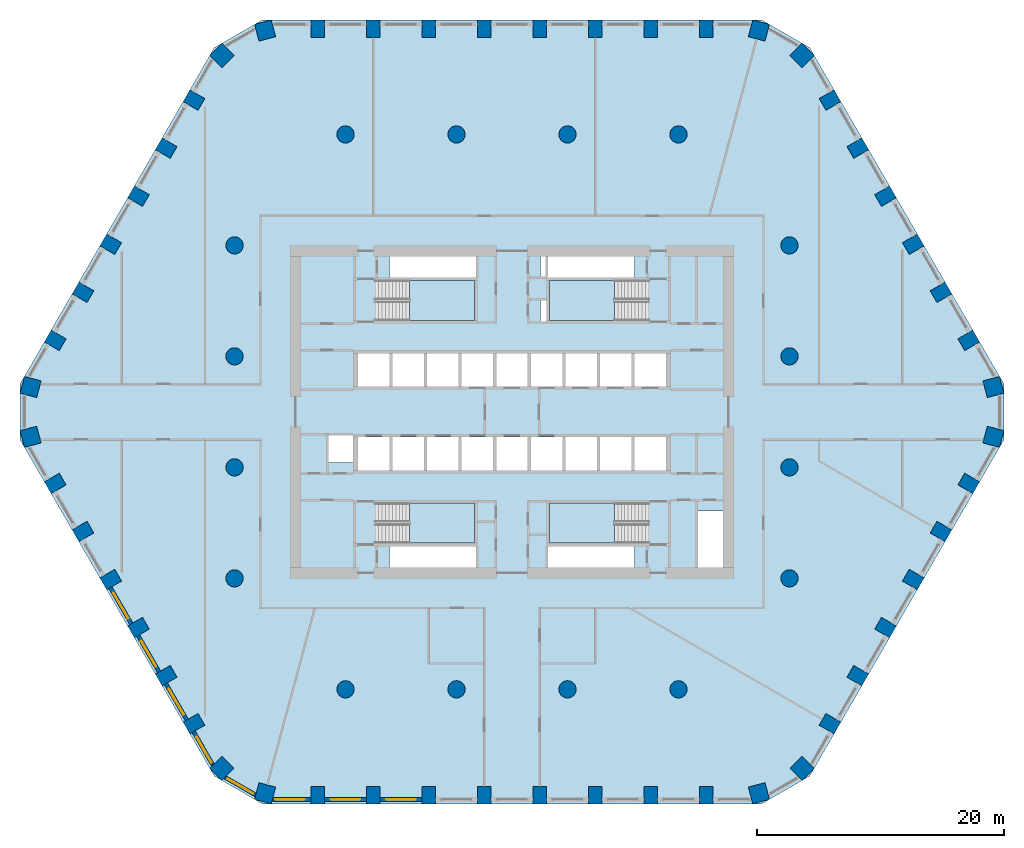
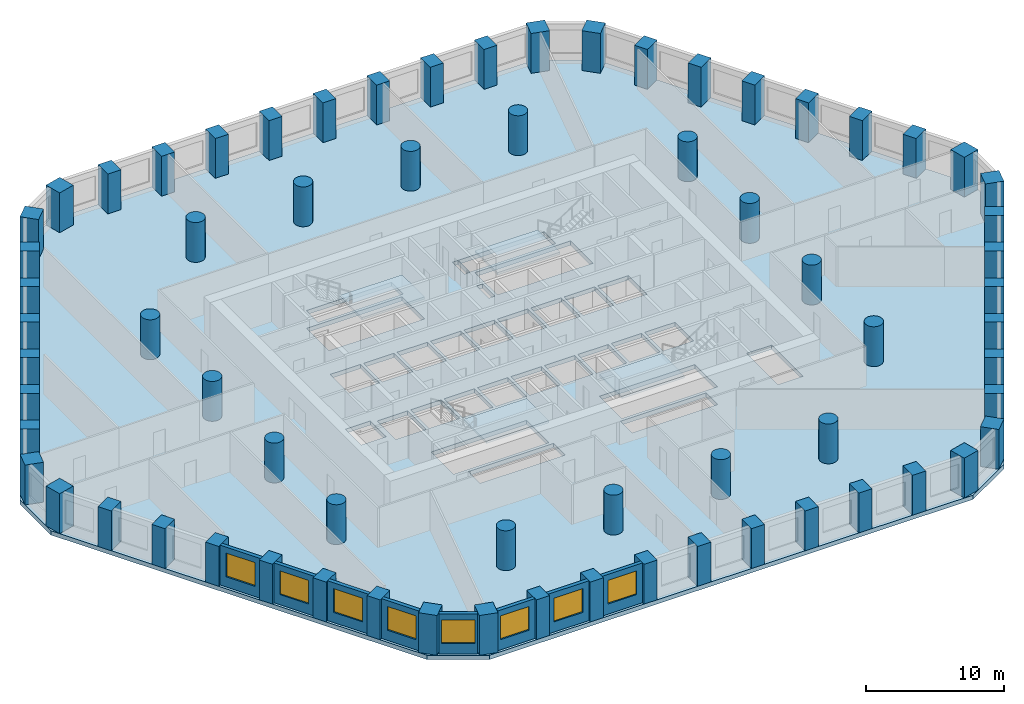
# One storey, part 1 of 10: 68 columns, 8 walls, 8 windows, 5 slabs, 8 openings, 4 elements without a shape of their own.
"""IFC4 building model written with IfcOpenShell, lengths in metres."""

from ifc_helpers import new_model, si_unit, direction, frame, frame_2d, origin, origin_2d, place, context, subcontext, project, spatial, polyline, rectangle, circle, outline, extrude, material, layer, layer_set, material_profile, profile_set, type_object, element, fill, aggregate, save


model = new_model("IFC4")

# Units and contexts
model_context = context("Model", 3, precision=1e-05, world=origin(), true_north=direction((0.0, 1.0)))
body_context = subcontext(model_context, "Body", "Model", "MODEL_VIEW")
ifc_project = project(units=[si_unit("LENGTHUNIT", "METRE"), si_unit("AREAUNIT", "SQUARE_METRE"), si_unit("VOLUMEUNIT", "CUBIC_METRE"), si_unit("PLANEANGLEUNIT", "RADIAN"), si_unit("MASSUNIT", "GRAM", prefix="KILO")], contexts=[model_context])

# Site, building, storey
site_placement = place(None, origin())
site = spatial("IfcSite", under=ifc_project, at=site_placement, CompositionType="ELEMENT")
building_placement = place(site_placement, origin())
building = spatial("IfcBuilding", under=site, at=building_placement, Name="Dhurran Vertical Campus", CompositionType="ELEMENT")
storey_placement = place(building_placement, frame((0.0, 0.0, 69.0)))
storey = spatial("IfcBuildingStorey", under=building, at=storey_placement, Name="L16", CompositionType="ELEMENT", Elevation=69.0)

# Columns
ifc_material_1 = material(Name="Concrete C70/85", Category="concrete")
ifc_material_profile_1 = material_profile(ifc_material_1, rectangle(XDim=1.10009765625, YDim=1.39990234375, at=origin_2d()), Name="RC 1100x1400")
ifc_profile_set_1 = profile_set([ifc_material_profile_1], Name="Concrete C70/85")
column_type_1 = type_object("IfcColumnType", Name="FR COL RC 1100x1400 C70/85", PredefinedType="COLUMN", material=ifc_profile_set_1)
for number, where, z_axis, x_axis, name in (
    (1, (-15.75, -31.079833984375, 0.0), (0.0, 0.0, 1.0), (1.0, 0.0, 0.0), "Perimeter pier PP1.01"),
    (2, (-11.25, -31.079833984375, 0.0), (0.0, 0.0, 1.0), (1.0, 0.0, 0.0), "Perimeter pier PP1.02"),
    (3, (-6.75, -31.079833984375, 0.0), (0.0, 0.0, 1.0), (1.0, 0.0, 0.0), "Perimeter pier PP1.03"),
    (4, (-2.25, -31.079833984375, 0.0), (0.0, 0.0, 1.0), (1.0, 0.0, 0.0), "Perimeter pier PP1.04"),
    (5, (2.25, -31.079833984375, 0.0), (0.0, 0.0, 1.0), (1.0, 0.0, 0.0), "Perimeter pier PP1.05"),
    (6, (6.75, -31.079833984375, 0.0), (0.0, 0.0, 1.0), (1.0, 0.0, 0.0), "Perimeter pier PP1.06"),
    (7, (11.25, -31.079833984375, 0.0), (0.0, 0.0, 1.0), (1.0, 0.0, 0.0), "Perimeter pier PP1.07"),
    (8, (15.75, -31.079833984375, 0.0), (0.0, 0.0, 1.0), (1.0, 0.0, 0.0), "Perimeter pier PP1.08"),
    (9, (25.791015625, -25.28271484375, 0.0), (0.0, 0.0, 1.0), (0.5, 0.866025403784, 0.0), "Perimeter pier PP1.11"),
    (10, (28.041015625, -21.385498046875, 0.0), (0.0, 0.0, 1.0), (0.5, 0.866025403784, 0.0), "Perimeter pier PP1.12"),
    (11, (30.291015625, -17.488525390625, 0.0), (0.0, 0.0, 1.0), (0.5, 0.866025403784, 0.0), "Perimeter pier PP1.13"),
    (12, (32.541015625, -13.59130859375, 0.0), (0.0, 0.0, 1.0), (0.5, 0.866025403784, 0.0), "Perimeter pier PP1.14"),
    (13, (34.791015625, -9.694091796875, 0.0), (0.0, 0.0, 1.0), (0.5, 0.866025403784, 0.0), "Perimeter pier PP1.15"),
    (14, (37.041015625, -5.797119140625, 0.0), (0.0, 0.0, 1.0), (0.5, 0.866025403784, 0.0), "Perimeter pier PP1.16"),
    (15, (37.041015625, 5.797119140625, 0.0), (0.0, 0.0, 1.0), (-0.5, 0.866025403784, 0.0), "Perimeter pier PP1.19"),
    (16, (34.791015625, 9.694091796875, 0.0), (0.0, 0.0, 1.0), (-0.5, 0.866025403784, 0.0), "Perimeter pier PP1.20"),
    (17, (32.541015625, 13.59130859375, 0.0), (0.0, 0.0, 1.0), (-0.5, 0.866025403784, 0.0), "Perimeter pier PP1.21"),
    (18, (30.291015625, 17.488525390625, 0.0), (0.0, 0.0, 1.0), (-0.5, 0.866025403784, 0.0), "Perimeter pier PP1.22"),
    (19, (28.041015625, 21.385498046875, 0.0), (0.0, 0.0, 1.0), (-0.5, 0.866025403784, 0.0), "Perimeter pier PP1.23"),
    (20, (25.791015625, 25.28271484375, 0.0), (0.0, 0.0, 1.0), (-0.5, 0.866025403784, 0.0), "Perimeter pier PP1.24"),
    (21, (15.75, 31.079833984375, 0.0), (0.0, 0.0, 1.0), (-1.0, 0.0, 0.0), "Perimeter pier PP1.27"),
    (22, (11.25, 31.079833984375, 0.0), (0.0, 0.0, 1.0), (-1.0, 0.0, 0.0), "Perimeter pier PP1.28"),
    (23, (6.75, 31.079833984375, 0.0), (0.0, 0.0, 1.0), (-1.0, 0.0, 0.0), "Perimeter pier PP1.29"),
    (24, (2.25, 31.079833984375, 0.0), (0.0, 0.0, 1.0), (-1.0, 0.0, 0.0), "Perimeter pier PP1.30"),
    (25, (-2.25, 31.079833984375, 0.0), (0.0, 0.0, 1.0), (-1.0, 0.0, 0.0), "Perimeter pier PP1.31"),
    (26, (-6.75, 31.079833984375, 0.0), (0.0, 0.0, 1.0), (-1.0, 0.0, 0.0), "Perimeter pier PP1.32"),
    (27, (-11.25, 31.079833984375, 0.0), (0.0, 0.0, 1.0), (-1.0, 0.0, 0.0), "Perimeter pier PP1.33"),
    (28, (-15.75, 31.079833984375, 0.0), (0.0, 0.0, 1.0), (-1.0, 0.0, 0.0), "Perimeter pier PP1.34"),
    (29, (-25.791015625, 25.28271484375, 0.0), (0.0, 0.0, 1.0), (-0.5, -0.866025403784, 0.0), "Perimeter pier PP1.37"),
    (30, (-28.041015625, 21.385498046875, 0.0), (0.0, 0.0, 1.0), (-0.5, -0.866025403784, 0.0), "Perimeter pier PP1.38"),
    (31, (-30.291015625, 17.488525390625, 0.0), (0.0, 0.0, 1.0), (-0.5, -0.866025403784, 0.0), "Perimeter pier PP1.39"),
    (32, (-32.541015625, 13.59130859375, 0.0), (0.0, 0.0, 1.0), (-0.5, -0.866025403784, 0.0), "Perimeter pier PP1.40"),
    (33, (-34.791015625, 9.694091796875, 0.0), (0.0, 0.0, 1.0), (-0.5, -0.866025403784, 0.0), "Perimeter pier PP1.41"),
    (34, (-37.041015625, 5.797119140625, 0.0), (0.0, 0.0, 1.0), (-0.5, -0.866025403784, 0.0), "Perimeter pier PP1.42"),
    (35, (-37.041015625, -5.797119140625, 0.0), (0.0, 0.0, 1.0), (0.5, -0.866025403784, 0.0), "Perimeter pier PP1.45"),
    (36, (-34.791015625, -9.694091796875, 0.0), (0.0, 0.0, 1.0), (0.5, -0.866025403784, 0.0), "Perimeter pier PP1.46"),
    (37, (-32.541015625, -13.59130859375, 0.0), (0.0, 0.0, 1.0), (0.5, -0.866025403784, 0.0), "Perimeter pier PP1.47"),
    (38, (-30.291015625, -17.488525390625, 0.0), (0.0, 0.0, 1.0), (0.5, -0.866025403784, 0.0), "Perimeter pier PP1.48"),
    (39, (-28.041015625, -21.385498046875, 0.0), (0.0, 0.0, 1.0), (0.5, -0.866025403784, 0.0), "Perimeter pier PP1.49"),
    (40, (-25.791015625, -25.28271484375, 0.0), (0.0, 0.0, 1.0), (0.5, -0.866025403784, 0.0), "Perimeter pier PP1.50"),
):
    element("IfcColumn", number, at=place(storey_placement, frame(where, z_axis=z_axis, x_axis=x_axis)), inside=storey, type_object=column_type_1, Name=name, PredefinedType="COLUMN", context=body_context, shape_type="SweptSolid", body=[
        extrude(rectangle(XDim=1.10009765625, YDim=1.39990234375, at=origin_2d()), origin(), (0.0, 0.0, 1.0), 3.52490234375),
    ])
ifc_material_2 = material(Name="Concrete C70/85", Category="concrete")
ifc_material_profile_2 = material_profile(ifc_material_2, rectangle(XDim=1.39990234375, YDim=1.39990234375, at=origin_2d()), Name="RC 1400x1400")
ifc_profile_set_2 = profile_set([ifc_material_profile_2], Name="Concrete C70/85")
column_type_2 = type_object("IfcColumnType", Name="FR COL RC 1400x1400 C70/85", PredefinedType="COLUMN", material=ifc_profile_set_2)
for number, where, z_axis, x_axis, name in (
    (41, (-20.020263671875, -30.922607421875, 0.0), (0.0, 0.0, 1.0), (0.965925826289, -0.258819045103, 0.0), "Perimeter pier PP1.00"),
    (42, (20.020263671875, -30.922607421875, 0.0), (0.0, 0.0, 1.0), (0.965925826289, 0.258819045103, 0.0), "Perimeter pier PP1.09"),
    (43, (23.51953125, -28.902099609375, 0.0), (0.0, 0.0, 1.0), (0.707106781187, 0.707106781187, 0.0), "Perimeter pier PP1.10"),
    (44, (39.039794921875, -2.020263671875, 0.0), (0.0, 0.0, 1.0), (0.258819045103, 0.965925826289, 0.0), "Perimeter pier PP1.17"),
    (45, (39.039794921875, 2.020263671875, 0.0), (0.0, 0.0, 1.0), (-0.258819045103, 0.965925826289, 0.0), "Perimeter pier PP1.18"),
    (46, (23.51953125, 28.902099609375, 0.0), (0.0, 0.0, 1.0), (-0.707106781187, 0.707106781187, 0.0), "Perimeter pier PP1.25"),
    (47, (20.020263671875, 30.922607421875, 0.0), (0.0, 0.0, 1.0), (-0.965925826289, 0.258819045103, 0.0), "Perimeter pier PP1.26"),
    (48, (-20.020263671875, 30.922607421875, 0.0), (0.0, 0.0, 1.0), (-0.965925826289, -0.258819045103, 0.0), "Perimeter pier PP1.35"),
    (49, (-23.51953125, 28.902099609375, 0.0), (0.0, 0.0, 1.0), (-0.707106781187, -0.707106781187, 0.0), "Perimeter pier PP1.36"),
    (50, (-39.039794921875, 2.020263671875, 0.0), (0.0, 0.0, 1.0), (-0.258819045103, -0.965925826289, 0.0), "Perimeter pier PP1.43"),
    (51, (-39.039794921875, -2.020263671875, 0.0), (0.0, 0.0, 1.0), (0.258819045103, -0.965925826289, 0.0), "Perimeter pier PP1.44"),
    (52, (-23.51953125, -28.902099609375, 0.0), (0.0, 0.0, 1.0), (0.707106781187, -0.707106781187, 0.0), "Perimeter pier PP1.51"),
):
    element("IfcColumn", number, at=place(storey_placement, frame(where, z_axis=z_axis, x_axis=x_axis)), inside=storey, type_object=column_type_2, Name=name, PredefinedType="COLUMN", context=body_context, shape_type="SweptSolid", body=[
        extrude(rectangle(XDim=1.39990234375, YDim=1.39990234375, at=origin_2d()), origin(), (0.0, 0.0, 1.0), 3.52490234375),
    ])
ifc_material_3 = material(Name="Concrete C70/85", Category="concrete")
ifc_material_profile_3 = material_profile(ifc_material_3, circle(Radius=0.699951171875, at=origin_2d()), Name="RCC D1400")
ifc_profile_set_3 = profile_set([ifc_material_profile_3], Name="Concrete C70/85")
column_type_3 = type_object("IfcColumnType", Name="FR COL RCC D1400 C70/85", PredefinedType="COLUMN", material=ifc_profile_set_3)
for number, where, z_axis, x_axis, name in (
    (53, (-22.5, -13.5, 0.0), (0.0, 0.0, 1.0), (1.0, 0.0, 0.0), "Inner column IC1-D4"),
    (54, (-22.5, -4.5, 0.0), (0.0, 0.0, 1.0), (1.0, 0.0, 0.0), "Inner column IC1-D5"),
    (55, (-22.5, 4.5, 0.0), (0.0, 0.0, 1.0), (1.0, 0.0, 0.0), "Inner column IC1-D6"),
    (56, (-22.5, 13.5, 0.0), (0.0, 0.0, 1.0), (1.0, 0.0, 0.0), "Inner column IC1-D7"),
    (57, (-13.5, -22.5, 0.0), (0.0, 0.0, 1.0), (1.0, 0.0, 0.0), "Inner column IC1-E3"),
    (58, (-13.5, 22.5, 0.0), (0.0, 0.0, 1.0), (1.0, 0.0, 0.0), "Inner column IC1-E8"),
    (59, (-4.5, -22.5, 0.0), (0.0, 0.0, 1.0), (1.0, 0.0, 0.0), "Inner column IC1-F3"),
    (60, (-4.5, 22.5, 0.0), (0.0, 0.0, 1.0), (1.0, 0.0, 0.0), "Inner column IC1-F8"),
    (61, (4.5, -22.5, 0.0), (0.0, 0.0, 1.0), (1.0, 0.0, 0.0), "Inner column IC1-G3"),
    (62, (4.5, 22.5, 0.0), (0.0, 0.0, 1.0), (1.0, 0.0, 0.0), "Inner column IC1-G8"),
    (63, (13.5, -22.5, 0.0), (0.0, 0.0, 1.0), (1.0, 0.0, 0.0), "Inner column IC1-H3"),
    (64, (13.5, 22.5, 0.0), (0.0, 0.0, 1.0), (1.0, 0.0, 0.0), "Inner column IC1-H8"),
    (65, (22.5, -13.5, 0.0), (0.0, 0.0, 1.0), (1.0, 0.0, 0.0), "Inner column IC1-J4"),
    (66, (22.5, -4.5, 0.0), (0.0, 0.0, 1.0), (1.0, 0.0, 0.0), "Inner column IC1-J5"),
    (67, (22.5, 4.5, 0.0), (0.0, 0.0, 1.0), (1.0, 0.0, 0.0), "Inner column IC1-J6"),
    (68, (22.5, 13.5, 0.0), (0.0, 0.0, 1.0), (1.0, 0.0, 0.0), "Inner column IC1-J7"),
):
    element("IfcColumn", number, at=place(storey_placement, frame(where, z_axis=z_axis, x_axis=x_axis)), inside=storey, type_object=column_type_3, Name=name, PredefinedType="COLUMN", context=body_context, shape_type="SweptSolid", body=[
        extrude(circle(Radius=0.699951171875, at=origin_2d()), origin(), (0.0, 0.0, 1.0), 3.52490234375),
    ])

# Slab
ifc_material_4 = material(Name="Concrete C40/50", Category="concrete")
ifc_layer_1 = layer(ifc_material_4, 0.375)
ifc_layer_set_1 = layer_set([ifc_layer_1], Name="Concrete C40/50")
slab_type_1 = type_object("IfcSlabType", Name="FR POST-TENSIONED FLAT SLAB 375", PredefinedType="FLOOR", material=ifc_layer_set_1)
slab_1_placement = place(storey_placement, frame((0.0, 0.0, -0.375)))
element("IfcSlab", 69, at=slab_1_placement, inside=storey, type_object=slab_type_1, Name="Floor slab L16", PredefinedType="FLOOR", context=body_context, shape_type="SweptSolid", body=[
    extrude(outline(polyline([(-20.25, -31.77978515625), (20.25, -31.77978515625), (24.147216796875, -29.52978515625), (39.897216796875, -2.25), (39.897216796875, 2.25), (24.147216796875, 29.52978515625), (20.25, 31.77978515625), (-20.25, 31.77978515625), (-24.147216796875, 29.52978515625), (-39.897216796875, 2.25), (-39.897216796875, -2.25), (-24.147216796875, -29.52978515625), (-20.25, -31.77978515625)]), holes=[polyline([(-12.47509765625, 2.050048828125), (-9.925048828125, 2.050048828125), (-9.925048828125, 4.75), (-12.47509765625, 4.75), (-12.47509765625, 2.050048828125)]), polyline([(-9.675048828125, 2.050048828125), (-7.125, 2.050048828125), (-7.125, 4.75), (-9.675048828125, 4.75), (-9.675048828125, 2.050048828125)]), polyline([(-6.875, 2.050048828125), (-4.324951171875, 2.050048828125), (-4.324951171875, 4.75), (-6.875, 4.75), (-6.875, 2.050048828125)]), polyline([(-1.27490234375, 2.050048828125), (1.27490234375, 2.050048828125), (1.27490234375, 4.75), (-1.27490234375, 4.75), (-1.27490234375, 2.050048828125)]), polyline([(9.925048828125, 2.050048828125), (12.47509765625, 2.050048828125), (12.47509765625, 4.75), (9.925048828125, 4.75), (9.925048828125, 2.050048828125)]), polyline([(-1.27490234375, -4.75), (1.27490234375, -4.75), (1.27490234375, -2.050048828125), (-1.27490234375, -2.050048828125), (-1.27490234375, -4.75)]), polyline([(1.52490234375, -4.75), (4.074951171875, -4.75), (4.074951171875, -2.050048828125), (1.52490234375, -2.050048828125), (1.52490234375, -4.75)]), polyline([(4.324951171875, -4.75), (6.875, -4.75), (6.875, -2.050048828125), (4.324951171875, -2.050048828125), (4.324951171875, -4.75)]), polyline([(7.125, -4.75), (9.675048828125, -4.75), (9.675048828125, -2.050048828125), (7.125, -2.050048828125), (7.125, -4.75)]), polyline([(9.925048828125, -4.75), (12.47509765625, -4.75), (12.47509765625, -2.050048828125), (9.925048828125, -2.050048828125), (9.925048828125, -4.75)]), polyline([(-4.074951171875, 2.050048828125), (-1.52490234375, 2.050048828125), (-1.52490234375, 4.75), (-4.074951171875, 4.75), (-4.074951171875, 2.050048828125)]), polyline([(1.52490234375, 2.050048828125), (4.074951171875, 2.050048828125), (4.074951171875, 4.75), (1.52490234375, 4.75), (1.52490234375, 2.050048828125)]), polyline([(4.324951171875, 2.050048828125), (6.875, 2.050048828125), (6.875, 4.75), (4.324951171875, 4.75), (4.324951171875, 2.050048828125)]), polyline([(7.125, 2.050048828125), (9.675048828125, 2.050048828125), (9.675048828125, 4.75), (7.125, 4.75), (7.125, 2.050048828125)]), polyline([(-12.47509765625, -4.75), (-9.925048828125, -4.75), (-9.925048828125, -2.050048828125), (-12.47509765625, -2.050048828125), (-12.47509765625, -4.75)]), polyline([(-9.675048828125, -4.75), (-7.125, -4.75), (-7.125, -2.050048828125), (-9.675048828125, -2.050048828125), (-9.675048828125, -4.75)]), polyline([(-6.875, -4.75), (-4.324951171875, -4.75), (-4.324951171875, -2.050048828125), (-6.875, -2.050048828125), (-6.875, -4.75)]), polyline([(-4.074951171875, -4.75), (-1.52490234375, -4.75), (-1.52490234375, -2.050048828125), (-4.074951171875, -2.050048828125), (-4.074951171875, -4.75)]), polyline([(-11.050048828125, 7.39990234375), (-3.050048828125, 7.39990234375), (-3.050048828125, 10.64990234375), (-11.050048828125, 10.64990234375), (-11.050048828125, 7.39990234375)]), polyline([(3.050048828125, 7.39990234375), (11.050048828125, 7.39990234375), (11.050048828125, 10.64990234375), (3.050048828125, 10.64990234375), (3.050048828125, 7.39990234375)]), polyline([(-11.050048828125, -10.64990234375), (-3.050048828125, -10.64990234375), (-3.050048828125, -7.39990234375), (-11.050048828125, -7.39990234375), (-11.050048828125, -10.64990234375)]), polyline([(3.050048828125, -10.64990234375), (11.050048828125, -10.64990234375), (11.050048828125, -7.39990234375), (3.050048828125, -7.39990234375), (3.050048828125, -10.64990234375)]), polyline([(-9.949951171875, 10.89990234375), (-9.949951171875, 12.60009765625), (-2.800048828125, 12.60009765625), (-2.800048828125, 10.89990234375), (-9.949951171875, 10.89990234375)]), polyline([(9.949951171875, 12.60009765625), (9.949951171875, 10.89990234375), (2.800048828125, 10.89990234375), (2.800048828125, 12.60009765625), (9.949951171875, 12.60009765625)]), polyline([(-9.949951171875, -12.60009765625), (-9.949951171875, -10.89990234375), (-2.800048828125, -10.89990234375), (-2.800048828125, -12.60009765625), (-9.949951171875, -12.60009765625)]), polyline([(9.949951171875, -10.89990234375), (9.949951171875, -12.60009765625), (2.800048828125, -12.60009765625), (2.800048828125, -10.89990234375), (9.949951171875, -10.89990234375)]), polyline([(-12.89990234375, -4.10009765625), (-15.0, -4.10009765625), (-15.0, -1.800048828125), (-12.89990234375, -1.800048828125), (-12.89990234375, -4.10009765625)]), polyline([(2.300048828125, 10.867431640625), (2.300048828125, 12.60009765625), (2.75, 12.60009765625), (2.75, 10.867431640625), (2.300048828125, 10.867431640625)]), polyline([(15.0, -8.050048828125), (17.10009765625, -8.050048828125), (17.10009765625, -12.60009765625), (15.0, -12.60009765625), (15.0, -8.050048828125)]), polyline([(2.300048828125, 7.35009765625), (2.300048828125, 9.135009765625), (2.800048828125, 9.135009765625), (2.800048828125, 7.35009765625), (2.300048828125, 7.35009765625)])]), origin(), (0.0, 0.0, 1.0), 0.375),
])

# Stair, slab
ifc_material_5 = material(Name="Concrete C40/50", Category="concrete")
stair_type = type_object("IfcStairType", Name="co-ST-CORE", PredefinedType="HALF_TURN_STAIR", material=ifc_material_5)
stair_1_placement = place(storey_placement, origin())
stair_1 = element("IfcStair", 70, at=stair_1_placement, inside=storey, type_object=stair_type, Name="L16 Protected exit stair ST1", PredefinedType="HALF_TURN_STAIR")
ifc_material_6 = material(Name="Concrete C40/50", Category="concrete")
ifc_layer_2 = layer(ifc_material_6, 0.199951171875)
ifc_layer_set_2 = layer_set([ifc_layer_2], Name="Concrete C40/50")
slab_type_2 = type_object("IfcSlabType", Name="co-SL-LANDING", PredefinedType="LANDING", material=ifc_layer_set_2)
slab_2_placement = place(storey_placement, frame((0.0, 0.0, 1.75)))
slab_2 = element("IfcSlab", 71, at=slab_2_placement, type_object=slab_type_2, Name="ST1 landing 1", PredefinedType="LANDING", context=body_context, shape_type="SweptSolid", body=[
    extrude(outline(polyline([(-8.300048828125, 7.39990234375), (-3.050048828125, 7.39990234375), (-3.050048828125, 10.64990234375), (-8.300048828125, 10.64990234375), (-8.300048828125, 7.39990234375)])), origin(), (0.0, 0.0, 1.0), 0.199951171875),
])
aggregate(stair_1, [slab_2])

stair_2_placement = place(storey_placement, origin())
stair_2 = element("IfcStair", 72, at=stair_2_placement, inside=storey, type_object=stair_type, Name="L16 Protected exit stair ST2", PredefinedType="HALF_TURN_STAIR")
slab_3_placement = place(storey_placement, frame((0.0, 0.0, 1.75)))
slab_3 = element("IfcSlab", 73, at=slab_3_placement, type_object=slab_type_2, Name="ST2 landing 1", PredefinedType="LANDING", context=body_context, shape_type="SweptSolid", body=[
    extrude(outline(polyline([(8.300048828125, 10.64990234375), (3.050048828125, 10.64990234375), (3.050048828125, 7.39990234375), (8.300048828125, 7.39990234375), (8.300048828125, 10.64990234375)])), origin(), (0.0, 0.0, 1.0), 0.199951171875),
])
aggregate(stair_2, [slab_3])

stair_3_placement = place(storey_placement, origin())
stair_3 = element("IfcStair", 74, at=stair_3_placement, inside=storey, type_object=stair_type, Name="L16 Protected exit stair ST3", PredefinedType="HALF_TURN_STAIR")
slab_4_placement = place(storey_placement, frame((0.0, 0.0, 1.75)))
slab_4 = element("IfcSlab", 75, at=slab_4_placement, type_object=slab_type_2, Name="ST3 landing 1", PredefinedType="LANDING", context=body_context, shape_type="SweptSolid", body=[
    extrude(outline(polyline([(-8.300048828125, -10.64990234375), (-3.050048828125, -10.64990234375), (-3.050048828125, -7.39990234375), (-8.300048828125, -7.39990234375), (-8.300048828125, -10.64990234375)])), origin(), (0.0, 0.0, 1.0), 0.199951171875),
])
aggregate(stair_3, [slab_4])

stair_4_placement = place(storey_placement, origin())
stair_4 = element("IfcStair", 76, at=stair_4_placement, inside=storey, type_object=stair_type, Name="L16 Protected exit stair ST4", PredefinedType="HALF_TURN_STAIR")
slab_5_placement = place(storey_placement, frame((0.0, 0.0, 1.75)))
slab_5 = element("IfcSlab", 77, at=slab_5_placement, type_object=slab_type_2, Name="ST4 landing 1", PredefinedType="LANDING", context=body_context, shape_type="SweptSolid", body=[
    extrude(outline(polyline([(8.300048828125, -7.39990234375), (3.050048828125, -7.39990234375), (3.050048828125, -10.64990234375), (8.300048828125, -10.64990234375), (8.300048828125, -7.39990234375)])), origin(), (0.0, 0.0, 1.0), 0.199951171875),
])
aggregate(stair_4, [slab_5])

# Wall, opening, window
ifc_material_7 = material(Name="Precast concrete C50/60", Category="concrete")
ifc_layer_3 = layer(ifc_material_7, 0.300048828125)
ifc_layer_set_3 = layer_set([ifc_layer_3], Name="Precast concrete C50/60")
wall_type = type_object("IfcWallType", Name="Precast spandrel wall 300", PredefinedType="SOLIDWALL", material=ifc_layer_set_3)
wall_1_placement = place(storey_placement, frame((-19.39111328125, -31.4296875, 0.0), z_axis=(0.0, 0.0, 1.0), x_axis=(1.0, 0.0, 0.0)))
wall_1 = element("IfcWall", 78, at=wall_1_placement, inside=storey, type_object=wall_type, Name="EW1 L16.00", PredefinedType="SOLIDWALL", context=body_context, shape_type="SweptSolid", body=[
    extrude(rectangle(XDim=3.090576171875, YDim=0.300048828125, at=frame_2d((1.54541015625, 0.0))), origin(), (0.0, 0.0, 1.0), 3.52490234375),
])
opening_1_placement = place(wall_1_placement, frame((0.191162109375, 0.0, 0.89990234375)))
opening_1 = element("IfcOpeningElement", 79, at=opening_1_placement, cuts=wall_1, Name="Opening WT1", PredefinedType="OPENING", context=body_context, shape_type="SweptSolid", body=[
    extrude(rectangle(XDim=2.39990234375, YDim=2.10009765625, at=frame_2d((1.199951171875, 1.050048828125))), frame((0.0, 0.159912109375, 0.0), z_axis=(0.0, -1.0, 0.0), x_axis=(1.0, 0.0, 0.0)), (0.0, 0.0, 1.0), 0.320068359375),
])
ifc_material_8 = material(Name="Aluminium frame with solar-control glass", Category="aluminium")
window_type = type_object("IfcWindowType", Name="Punched window 2400 x 2100", PartitioningType="SINGLE_PANEL", PredefinedType="WINDOW", material=ifc_material_8)
window_1_placement = place(opening_1_placement, origin())
window_1 = element("IfcWindow", 80, at=window_1_placement, inside=storey, type_object=window_type, Name="WT1 L16.00", OverallHeight=2.10009765625, OverallWidth=2.39990234375, PartitioningType="SINGLE_PANEL", PredefinedType="WINDOW", context=body_context, shape_type="SweptSolid", body=[
    extrude(rectangle(XDim=2.39990234375, YDim=2.10009765625, at=frame_2d((1.199951171875, 1.050048828125))), frame((0.0, 0.030029296875, 0.0), z_axis=(0.0, -1.0, 0.0), x_axis=(1.0, 0.0, 0.0)), (0.0, 0.0, 1.0), 0.06005859375),
])
fill(opening_1, window_1)

wall_2_placement = place(storey_placement, frame((-15.199462890625, -31.4296875, 0.0), z_axis=(0.0, 0.0, 1.0), x_axis=(1.0, 0.0, 0.0)))
wall_2 = element("IfcWall", 81, at=wall_2_placement, inside=storey, type_object=wall_type, Name="EW1 L16.01", PredefinedType="SOLIDWALL", context=body_context, shape_type="SweptSolid", body=[
    extrude(rectangle(XDim=3.39892578125, YDim=0.300048828125, at=frame_2d((1.699462890625, 0.0))), origin(), (0.0, 0.0, 1.0), 3.52490234375),
])
opening_2_placement = place(wall_2_placement, frame((0.49951171875, 0.0, 0.89990234375)))
opening_2 = element("IfcOpeningElement", 82, at=opening_2_placement, cuts=wall_2, Name="Opening WT1", PredefinedType="OPENING", context=body_context, shape_type="SweptSolid", body=[
    extrude(rectangle(XDim=2.39990234375, YDim=2.10009765625, at=frame_2d((1.199951171875, 1.050048828125))), frame((0.0, 0.159912109375, 0.0), z_axis=(0.0, -1.0, 0.0), x_axis=(1.0, 0.0, 0.0)), (0.0, 0.0, 1.0), 0.320068359375),
])
window_2_placement = place(opening_2_placement, origin())
window_2 = element("IfcWindow", 83, at=window_2_placement, inside=storey, type_object=window_type, Name="WT1 L16.01", OverallHeight=2.10009765625, OverallWidth=2.39990234375, PartitioningType="SINGLE_PANEL", PredefinedType="WINDOW", context=body_context, shape_type="SweptSolid", body=[
    extrude(rectangle(XDim=2.39990234375, YDim=2.10009765625, at=frame_2d((1.199951171875, 1.050048828125))), frame((0.0, 0.030029296875, 0.0), z_axis=(0.0, -1.0, 0.0), x_axis=(1.0, 0.0, 0.0)), (0.0, 0.0, 1.0), 0.06005859375),
])
fill(opening_2, window_2)

wall_3_placement = place(storey_placement, frame((-10.699462890625, -31.4296875, 0.0), z_axis=(0.0, 0.0, 1.0), x_axis=(1.0, 0.0, 0.0)))
wall_3 = element("IfcWall", 84, at=wall_3_placement, inside=storey, type_object=wall_type, Name="EW1 L16.02", PredefinedType="SOLIDWALL", context=body_context, shape_type="SweptSolid", body=[
    extrude(rectangle(XDim=3.39892578125, YDim=0.300048828125, at=frame_2d((1.699462890625, 0.0))), origin(), (0.0, 0.0, 1.0), 3.52490234375),
])
opening_3_placement = place(wall_3_placement, frame((0.49951171875, 0.0, 0.89990234375)))
opening_3 = element("IfcOpeningElement", 85, at=opening_3_placement, cuts=wall_3, Name="Opening WT1", PredefinedType="OPENING", context=body_context, shape_type="SweptSolid", body=[
    extrude(rectangle(XDim=2.39990234375, YDim=2.10009765625, at=frame_2d((1.199951171875, 1.050048828125))), frame((0.0, 0.159912109375, 0.0), z_axis=(0.0, -1.0, 0.0), x_axis=(1.0, 0.0, 0.0)), (0.0, 0.0, 1.0), 0.320068359375),
])
window_3_placement = place(opening_3_placement, origin())
window_3 = element("IfcWindow", 86, at=window_3_placement, inside=storey, type_object=window_type, Name="WT1 L16.02", OverallHeight=2.10009765625, OverallWidth=2.39990234375, PartitioningType="SINGLE_PANEL", PredefinedType="WINDOW", context=body_context, shape_type="SweptSolid", body=[
    extrude(rectangle(XDim=2.39990234375, YDim=2.10009765625, at=frame_2d((1.199951171875, 1.050048828125))), frame((0.0, 0.030029296875, 0.0), z_axis=(0.0, -1.0, 0.0), x_axis=(1.0, 0.0, 0.0)), (0.0, 0.0, 1.0), 0.06005859375),
])
fill(opening_3, window_3)

wall_4_placement = place(storey_placement, frame((-32.56884765625, -14.2431640625, 0.0), z_axis=(0.0, 0.0, 1.0), x_axis=(0.499993955907, -0.866028893315, 0.0)))
wall_4 = element("IfcWall", 87, at=wall_4_placement, inside=storey, type_object=wall_type, Name="EW1 L16.47", PredefinedType="SOLIDWALL", context=body_context, shape_type="SweptSolid", body=[
    extrude(rectangle(XDim=3.39892578125, YDim=0.300048828125, at=frame_2d((1.699462890625, 0.0))), origin(), (0.0, 0.0, 1.0), 3.52490234375),
])
opening_4_placement = place(wall_4_placement, frame((0.49951171875, 0.0, 0.89990234375)))
opening_4 = element("IfcOpeningElement", 88, at=opening_4_placement, cuts=wall_4, Name="Opening WT1", PredefinedType="OPENING", context=body_context, shape_type="SweptSolid", body=[
    extrude(rectangle(XDim=2.39990234375, YDim=2.10009765625, at=frame_2d((1.199951171875, 1.050048828125))), frame((0.0, 0.159912109375, 0.0), z_axis=(0.0, -1.0, 0.0), x_axis=(1.0, 0.0, 0.0)), (0.0, 0.0, 1.0), 0.320068359375),
])
window_4_placement = place(opening_4_placement, origin())
window_4 = element("IfcWindow", 89, at=window_4_placement, inside=storey, type_object=window_type, Name="WT1 L16.47", OverallHeight=2.10009765625, OverallWidth=2.39990234375, PartitioningType="SINGLE_PANEL", PredefinedType="WINDOW", context=body_context, shape_type="SweptSolid", body=[
    extrude(rectangle(XDim=2.39990234375, YDim=2.10009765625, at=frame_2d((1.199951171875, 1.050048828125))), frame((0.0, 0.030029296875, 0.0), z_axis=(0.0, -1.0, 0.0), x_axis=(1.0, 0.0, 0.0)), (0.0, 0.0, 1.0), 0.06005859375),
])
fill(opening_4, window_4)

wall_5_placement = place(storey_placement, frame((-30.31884765625, -18.14013671875, 0.0), z_axis=(0.0, 0.0, 1.0), x_axis=(0.499993955907, -0.866028893315, 0.0)))
wall_5 = element("IfcWall", 90, at=wall_5_placement, inside=storey, type_object=wall_type, Name="EW1 L16.48", PredefinedType="SOLIDWALL", context=body_context, shape_type="SweptSolid", body=[
    extrude(rectangle(XDim=3.39892578125, YDim=0.300048828125, at=frame_2d((1.699462890625, 0.0))), origin(), (0.0, 0.0, 1.0), 3.52490234375),
])
opening_5_placement = place(wall_5_placement, frame((0.49951171875, 0.0, 0.89990234375)))
opening_5 = element("IfcOpeningElement", 91, at=opening_5_placement, cuts=wall_5, Name="Opening WT1", PredefinedType="OPENING", context=body_context, shape_type="SweptSolid", body=[
    extrude(rectangle(XDim=2.39990234375, YDim=2.10009765625, at=frame_2d((1.199951171875, 1.050048828125))), frame((0.0, 0.159912109375, 0.0), z_axis=(0.0, -1.0, 0.0), x_axis=(1.0, 0.0, 0.0)), (0.0, 0.0, 1.0), 0.320068359375),
])
window_5_placement = place(opening_5_placement, origin())
window_5 = element("IfcWindow", 92, at=window_5_placement, inside=storey, type_object=window_type, Name="WT1 L16.48", OverallHeight=2.10009765625, OverallWidth=2.39990234375, PartitioningType="SINGLE_PANEL", PredefinedType="WINDOW", context=body_context, shape_type="SweptSolid", body=[
    extrude(rectangle(XDim=2.39990234375, YDim=2.10009765625, at=frame_2d((1.199951171875, 1.050048828125))), frame((0.0, 0.030029296875, 0.0), z_axis=(0.0, -1.0, 0.0), x_axis=(1.0, 0.0, 0.0)), (0.0, 0.0, 1.0), 0.06005859375),
])
fill(opening_5, window_5)

wall_6_placement = place(storey_placement, frame((-28.06884765625, -22.037353515625, 0.0), z_axis=(0.0, 0.0, 1.0), x_axis=(0.499993955907, -0.866028893315, 0.0)))
wall_6 = element("IfcWall", 93, at=wall_6_placement, inside=storey, type_object=wall_type, Name="EW1 L16.49", PredefinedType="SOLIDWALL", context=body_context, shape_type="SweptSolid", body=[
    extrude(rectangle(XDim=3.39892578125, YDim=0.300048828125, at=frame_2d((1.699462890625, 0.0))), origin(), (0.0, 0.0, 1.0), 3.52490234375),
])
opening_6_placement = place(wall_6_placement, frame((0.49951171875, 0.0, 0.89990234375)))
opening_6 = element("IfcOpeningElement", 94, at=opening_6_placement, cuts=wall_6, Name="Opening WT1", PredefinedType="OPENING", context=body_context, shape_type="SweptSolid", body=[
    extrude(rectangle(XDim=2.39990234375, YDim=2.10009765625, at=frame_2d((1.199951171875, 1.050048828125))), frame((0.0, 0.159912109375, 0.0), z_axis=(0.0, -1.0, 0.0), x_axis=(1.0, 0.0, 0.0)), (0.0, 0.0, 1.0), 0.320068359375),
])
window_6_placement = place(opening_6_placement, origin())
window_6 = element("IfcWindow", 95, at=window_6_placement, inside=storey, type_object=window_type, Name="WT1 L16.49", OverallHeight=2.10009765625, OverallWidth=2.39990234375, PartitioningType="SINGLE_PANEL", PredefinedType="WINDOW", context=body_context, shape_type="SweptSolid", body=[
    extrude(rectangle(XDim=2.39990234375, YDim=2.10009765625, at=frame_2d((1.199951171875, 1.050048828125))), frame((0.0, 0.030029296875, 0.0), z_axis=(0.0, -1.0, 0.0), x_axis=(1.0, 0.0, 0.0)), (0.0, 0.0, 1.0), 0.06005859375),
])
fill(opening_6, window_6)

wall_7_placement = place(storey_placement, frame((-25.81884765625, -25.934326171875, 0.0), z_axis=(0.0, 0.0, 1.0), x_axis=(0.499995950774, -0.866027741594, 0.0)))
wall_7 = element("IfcWall", 96, at=wall_7_placement, inside=storey, type_object=wall_type, Name="EW1 L16.50", PredefinedType="SOLIDWALL", context=body_context, shape_type="SweptSolid", body=[
    extrude(rectangle(XDim=3.0908203125, YDim=0.300048828125, at=frame_2d((1.54541015625, 0.0))), origin(), (0.0, 0.0, 1.0), 3.52490234375),
])
opening_7_placement = place(wall_7_placement, frame((0.49951171875, 0.0, 0.89990234375)))
opening_7 = element("IfcOpeningElement", 97, at=opening_7_placement, cuts=wall_7, Name="Opening WT1", PredefinedType="OPENING", context=body_context, shape_type="SweptSolid", body=[
    extrude(rectangle(XDim=2.39990234375, YDim=2.10009765625, at=frame_2d((1.199951171875, 1.050048828125))), frame((0.0, 0.159912109375, 0.0), z_axis=(0.0, -1.0, 0.0), x_axis=(1.0, 0.0, 0.0)), (0.0, 0.0, 1.0), 0.320068359375),
])
window_7_placement = place(opening_7_placement, origin())
window_7 = element("IfcWindow", 98, at=window_7_placement, inside=storey, type_object=window_type, Name="WT1 L16.50", OverallHeight=2.10009765625, OverallWidth=2.39990234375, PartitioningType="SINGLE_PANEL", PredefinedType="WINDOW", context=body_context, shape_type="SweptSolid", body=[
    extrude(rectangle(XDim=2.39990234375, YDim=2.10009765625, at=frame_2d((1.199951171875, 1.050048828125))), frame((0.0, 0.030029296875, 0.0), z_axis=(0.0, -1.0, 0.0), x_axis=(1.0, 0.0, 0.0)), (0.0, 0.0, 1.0), 0.06005859375),
])
fill(opening_7, window_7)

wall_8_placement = place(storey_placement, frame((-23.228271484375, -29.656005859375, 0.0), z_axis=(0.0, 0.0, 1.0), x_axis=(0.866020456713, -0.500008568482, 0.0)))
wall_8 = element("IfcWall", 99, at=wall_8_placement, inside=storey, type_object=wall_type, Name="EW1 L16.51", PredefinedType="SOLIDWALL", context=body_context, shape_type="SweptSolid", body=[
    extrude(rectangle(XDim=2.7822265625, YDim=0.300048828125, at=frame_2d((1.39111328125, 0.0))), origin(), (0.0, 0.0, 1.0), 3.52490234375),
])
opening_8_placement = place(wall_8_placement, frame((0.191162109375, 0.0, 0.89990234375)))
opening_8 = element("IfcOpeningElement", 100, at=opening_8_placement, cuts=wall_8, Name="Opening WT1", PredefinedType="OPENING", context=body_context, shape_type="SweptSolid", body=[
    extrude(rectangle(XDim=2.39990234375, YDim=2.10009765625, at=frame_2d((1.199951171875, 1.050048828125))), frame((0.0, 0.159912109375, 0.0), z_axis=(0.0, -1.0, 0.0), x_axis=(1.0, 0.0, 0.0)), (0.0, 0.0, 1.0), 0.320068359375),
])
window_8_placement = place(opening_8_placement, origin())
window_8 = element("IfcWindow", 101, at=window_8_placement, inside=storey, type_object=window_type, Name="WT1 L16.51", OverallHeight=2.10009765625, OverallWidth=2.39990234375, PartitioningType="SINGLE_PANEL", PredefinedType="WINDOW", context=body_context, shape_type="SweptSolid", body=[
    extrude(rectangle(XDim=2.39990234375, YDim=2.10009765625, at=frame_2d((1.199951171875, 1.050048828125))), frame((0.0, 0.030029296875, 0.0), z_axis=(0.0, -1.0, 0.0), x_axis=(1.0, 0.0, 0.0)), (0.0, 0.0, 1.0), 0.06005859375),
])
fill(opening_8, window_8)

save(model, "model.ifc")
